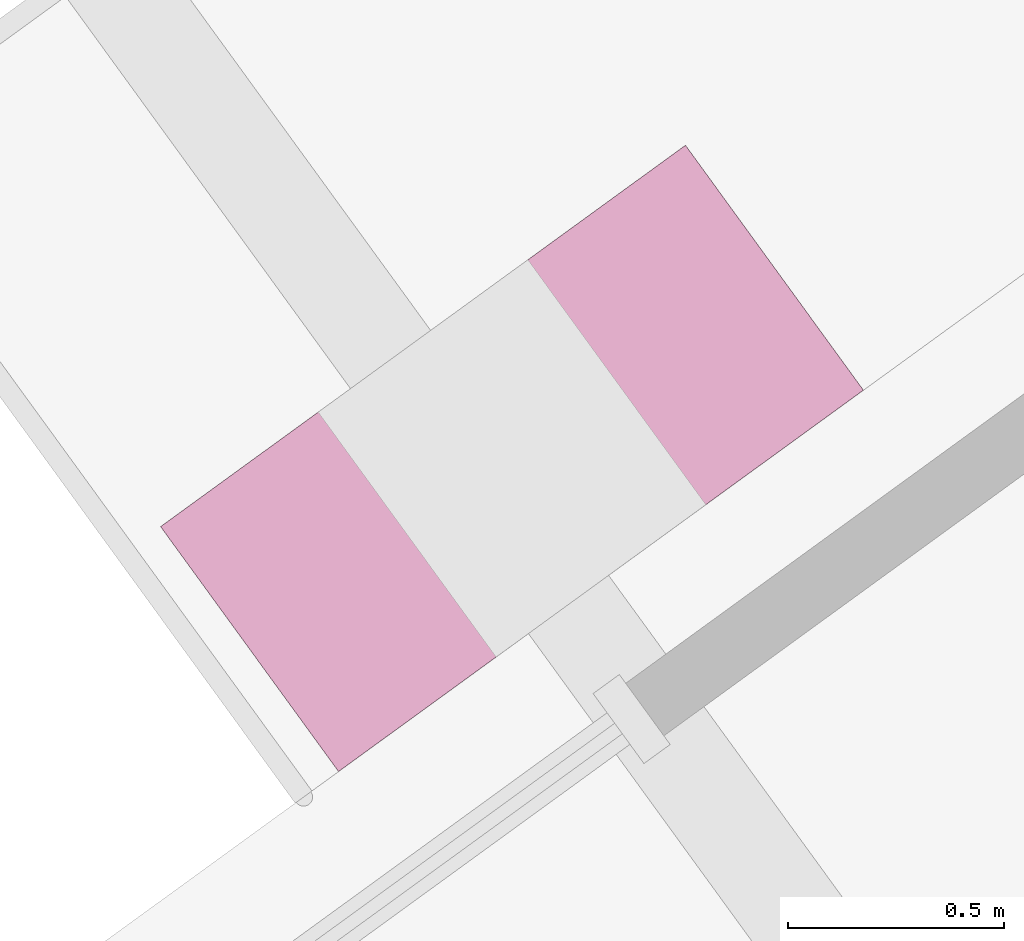
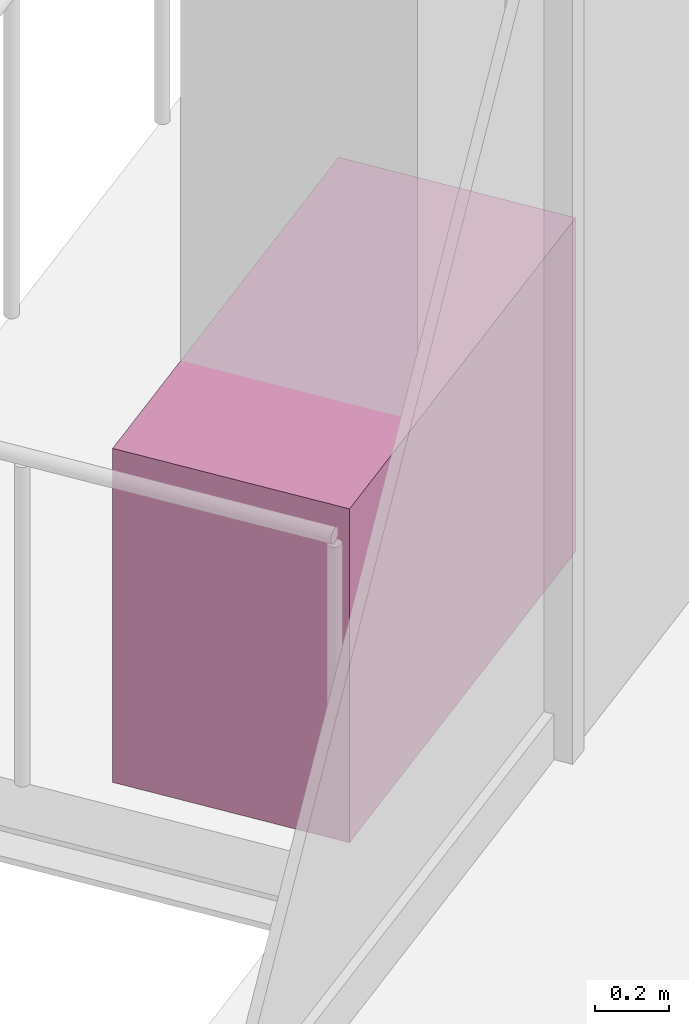
# One storey, part 20 of 21: 1 furniture element.
"""IFC4 building model written with IfcOpenShell, lengths in metres."""

import ifcopenshell
import ifcopenshell.guid

model = None  # the IFC model being written
_history = None  # IfcOwnerHistory: only IFC2X3 demands one
_inside = {}  # id of a spatial element -> (the spatial element, [elements in it])
_under = {}  # id of a project, library or spatial element -> (it, [spatial elements below it])
_declared = {}  # id of a project -> (the project, [libraries it declares])
_typed = {}  # id of a type object -> (the type object, [elements of that type])
_made_of = {}  # id of a material, layer set ... -> (it, [elements and type objects made of it])


def new_model(schema):
    """Start an empty IFC model of exactly this schema.

    Asked for "IFC4X3", IfcOpenShell would pick the latest addendum, in which some entities
    have other attributes; the version numbers below select the first issue.
    IFC2X3 requires an IfcOwnerHistory on every rooted entity: one is made here for all.
    """
    global model, _history
    if schema == "IFC4X3":
        model = ifcopenshell.file(schema_version=(4, 3, 0, 0))
    else:
        model = ifcopenshell.file(schema=schema)
    _inside.clear()
    _under.clear()
    _declared.clear()
    _typed.clear()
    _made_of.clear()
    _history = None
    if model.schema == "IFC2X3":
        org = make("IfcOrganization", Name="unknown")
        user = make(
            "IfcPersonAndOrganization",
            ThePerson=make("IfcPerson", FamilyName="unknown"),
            TheOrganization=org,
        )
        app = make(
            "IfcApplication",
            ApplicationDeveloper=org,
            Version="unknown",
            ApplicationFullName="unknown",
            ApplicationIdentifier="unknown",
        )
        _history = make(
            "IfcOwnerHistory",
            OwningUser=user,
            OwningApplication=app,
            ChangeAction="ADDED",
            CreationDate=0,
        )
    return model


def make(cls, **values):
    """One entity of the class cls with the attributes given. An attribute that is None is left unset."""
    return model.create_entity(
        cls, **{name: value for name, value in values.items() if value is not None}
    )


def rooted(cls, **values):
    """An entity with a GlobalId (a new one), such as an element, a storey or a relation."""
    return make(cls, GlobalId=ifcopenshell.guid.new(), OwnerHistory=_history, **values)


def si_unit(unit_type, name, prefix=None):
    """IfcSIUnit, for example si_unit("LENGTHUNIT", "METRE", prefix="MILLI")."""
    return make("IfcSIUnit", UnitType=unit_type, Prefix=prefix, Name=name)


def assignment(units):
    """IfcUnitAssignment: the units of a project."""
    return None if units is None else make("IfcUnitAssignment", Units=units)


def point(xyz):
    """IfcCartesianPoint."""
    return None if xyz is None else make("IfcCartesianPoint", Coordinates=xyz)


def direction(xyz):
    """IfcDirection."""
    return None if xyz is None else make("IfcDirection", DirectionRatios=xyz)


def frame(location, z_axis=None, x_axis=None):
    """IfcAxis2Placement3D, a coordinate frame: its origin and axes. An axis left out is left unset."""
    return make(
        "IfcAxis2Placement3D",
        Location=point(location),
        Axis=direction(z_axis),
        RefDirection=direction(x_axis),
    )


def frame_2d(location, x_axis=None):
    """IfcAxis2Placement2D, a coordinate frame in the plane: its origin and x axis."""
    return make(
        "IfcAxis2Placement2D", Location=point(location), RefDirection=direction(x_axis)
    )


def origin():
    """The frame at (0, 0, 0) with its axes left unset."""
    return frame((0.0, 0.0, 0.0))


def origin_2d():
    """The frame at (0, 0) in the plane with its x axis left unset."""
    return frame_2d((0.0, 0.0))


def place(relative_to, where):
    """IfcLocalPlacement: puts the frame where relative to a parent placement (None: the world)."""
    return make(
        "IfcLocalPlacement", PlacementRelTo=relative_to, RelativePlacement=where
    )


def context(
    kind, dimensions, precision=None, world=None, true_north=None, identifier=None
):
    """IfcGeometricRepresentationContext, for example the 3D "Model" context."""
    return make(
        "IfcGeometricRepresentationContext",
        ContextIdentifier=identifier,
        ContextType=kind,
        CoordinateSpaceDimension=dimensions,
        Precision=precision,
        WorldCoordinateSystem=world,
        TrueNorth=true_north,
    )


def subcontext(parent, identifier, kind, view, scale=None):
    """IfcGeometricRepresentationSubContext, for example "Body" below "Model"."""
    return make(
        "IfcGeometricRepresentationSubContext",
        ContextIdentifier=identifier,
        ContextType=kind,
        ParentContext=parent,
        TargetScale=scale,
        TargetView=view,
    )


def project(units=None, contexts=None):
    """IfcProject with its units and contexts."""
    return rooted(
        "IfcProject",
        Name="project",
        RepresentationContexts=contexts,
        UnitsInContext=assignment(units),
    )


def spatial(cls, under=None, at=None, **own):
    """A site, building, storey or space (cls), placed at a placement, below another one or the project."""
    s = rooted(cls, ObjectPlacement=at, **own)
    if under is not None:
        _under.setdefault(under.id(), (under, []))[1].append(s)
    return s


def profile(cls, at=None, kind="AREA", **sizes):
    """A parametric profile (cls). Its sizes go by their IFC names, for example OverallWidth=200.0."""
    return make(cls, ProfileType=kind, Position=at, **sizes)


def rectangle(**sizes):
    """IfcRectangleProfileDef."""
    return profile("IfcRectangleProfileDef", **sizes)


def extrude(swept, where, along, depth):
    """IfcExtrudedAreaSolid: the profile swept, set in the frame where, extruded along a direction by depth."""
    return make(
        "IfcExtrudedAreaSolid",
        SweptArea=swept,
        Position=where,
        ExtrudedDirection=direction(along),
        Depth=depth,
    )


def shape(context_of_items, identifier, shape_type, items):
    """IfcShapeRepresentation: the items that make up one representation, for example the "Body"."""
    return make(
        "IfcShapeRepresentation",
        ContextOfItems=context_of_items,
        RepresentationIdentifier=identifier,
        RepresentationType=shape_type,
        Items=items,
    )


def source(mapping_origin, context_of_items, identifier, shape_type, items):
    """IfcRepresentationMap: a shape defined once, which mapped items show again and again."""
    return make(
        "IfcRepresentationMap",
        MappingOrigin=mapping_origin,
        MappedRepresentation=shape(context_of_items, identifier, shape_type, items),
    )


def transform(
    local_origin,
    x_axis=None,
    y_axis=None,
    z_axis=None,
    scale=None,
    scale2=None,
    scale3=None,
    uniform=True,
):
    """IfcCartesianTransformationOperator3D, or its non-uniform kind. x_axis, y_axis, z_axis: its Axis1, 2, 3."""
    if uniform:
        return make(
            "IfcCartesianTransformationOperator3D",
            Axis1=direction(x_axis),
            Axis2=direction(y_axis),
            LocalOrigin=point(local_origin),
            Scale=scale,
            Axis3=direction(z_axis),
        )
    return make(
        "IfcCartesianTransformationOperator3DnonUniform",
        Axis1=direction(x_axis),
        Axis2=direction(y_axis),
        LocalOrigin=point(local_origin),
        Scale=scale,
        Axis3=direction(z_axis),
        Scale2=scale2,
        Scale3=scale3,
    )


def mapped(mapping_source, mapping_target):
    """IfcMappedItem: shows the shape of a source again, moved by a transform."""
    return make(
        "IfcMappedItem", MappingSource=mapping_source, MappingTarget=mapping_target
    )


def material(Name=None, Category=None):
    """IfcMaterial."""
    return make("IfcMaterial", Name=Name, Category=Category)


def made_of(thing, what):
    """Note that an element or type object is made of a material, layer set ...; save() writes the relation."""
    if what is not None:
        _made_of.setdefault(what.id(), (what, []))[1].append(thing)
    return thing


def type_object(cls, material=None, **own):
    """A type object (cls), such as IfcWallType, which elements share."""
    return made_of(rooted(cls, **own), material)


def element(
    cls,
    number,
    at=None,
    inside=None,
    cuts=None,
    type_object=None,
    material=None,
    context=None,
    identifier="Body",
    shape_type=None,
    held_by="IfcProductDefinitionShape",
    body=None,
    shapes=None,
    **own,
):
    """One element of the class cls, such as IfcWall. Its Tag is "e" and its number.

    at: its placement. inside: the storey or other place that contains it. cuts: it is an
    opening in that element (IfcRelVoidsElement). A single representation is given by context,
    identifier, shape_type and body (its items); several are given by shapes. held_by: the class
    of the entity that holds the representations. save() writes the other relations.
    """
    e = rooted(cls, Tag="e%d" % number, ObjectPlacement=at, **own)
    if body is not None:
        shapes = [shape(context, identifier, shape_type, body)]
    if shapes is not None:
        e.Representation = make(held_by, Representations=shapes)
    if inside is not None:
        _inside.setdefault(inside.id(), (inside, []))[1].append(e)
    if cuts is not None:
        rooted(
            "IfcRelVoidsElement", RelatingBuildingElement=cuts, RelatedOpeningElement=e
        )
    if type_object is not None:
        _typed.setdefault(type_object.id(), (type_object, []))[1].append(e)
    return made_of(e, material)


def aggregate(whole, parts):
    """IfcRelAggregates: a whole, such as a stair, and the parts it consists of."""
    return rooted("IfcRelAggregates", RelatingObject=whole, RelatedObjects=parts)


def save(model, path):
    """Write the relations noted so far, then the file.

    IfcRelAggregates (storeys below a building ...), IfcRelContainedInSpatialStructure (elements
    in a storey), IfcRelDefinesByType, IfcRelAssociatesMaterial and IfcRelDeclares: one each for
    every whole, place, type object, material and project.
    """
    for whole, parts in _under.values():
        aggregate(whole, parts)
    for where, things in _inside.values():
        rooted(
            "IfcRelContainedInSpatialStructure",
            RelatedElements=things,
            RelatingStructure=where,
        )
    for kind, things in _typed.values():
        rooted("IfcRelDefinesByType", RelatedObjects=things, RelatingType=kind)
    for what, things in _made_of.values():
        rooted("IfcRelAssociatesMaterial", RelatedObjects=things, RelatingMaterial=what)
    for by, libraries in _declared.values():
        rooted("IfcRelDeclares", RelatingContext=by, RelatedDefinitions=libraries)
    model.write(path)


model = new_model("IFC4")

# Units and contexts
model_context = context("Model", 3, precision=1e-05, world=origin(), true_north=direction((0.0, 1.0)))
body_context = subcontext(model_context, "Body", "Model", "MODEL_VIEW")
ifc_project = project(units=[si_unit("LENGTHUNIT", "METRE"), si_unit("AREAUNIT", "SQUARE_METRE"), si_unit("VOLUMEUNIT", "CUBIC_METRE"), si_unit("PLANEANGLEUNIT", "RADIAN"), si_unit("MASSUNIT", "GRAM", prefix="KILO")], contexts=[model_context])

# Site, building, storey
site_placement = place(None, origin())
site = spatial("IfcSite", under=ifc_project, at=site_placement, CompositionType="ELEMENT")
building_placement = place(site_placement, origin())
building = spatial("IfcBuilding", under=site, at=building_placement, Name="Triune Harvest Tower", CompositionType="ELEMENT")
storey_placement = place(building_placement, frame((0.0, 0.0, 65.699951171875)))
storey = spatial("IfcBuildingStorey", under=building, at=storey_placement, Name="L15", CompositionType="ELEMENT", Elevation=65.699951171875)

# Furniture
ifc_material = material(Name="Concrete 40 MPa", Category="concrete")
furniture_type = type_object("IfcFurnitureType", Name="PB-1 structural planter", AssemblyPlace="SITE", PredefinedType="USERDEFINED", material=ifc_material)
shared_shape = source(origin(), body_context, "Body", "SweptSolid", [
    extrude(rectangle(XDim=1.5, YDim=0.699951171875, at=origin_2d()), origin(), (0.0, 0.0, 1.0), 1.10009765625),
])
furniture_placement = place(storey_placement, frame((-13.6484375, 18.943359375, 0.0), z_axis=(0.0, 0.0, 1.0), x_axis=(-0.809017013446, -0.587785226043, 0.0)))
element("IfcFurniture", 1, at=furniture_placement, inside=storey, type_object=furniture_type, Name="Planter B2-F3 L15.6b", ObjectType="PLANTER", PredefinedType="USERDEFINED", context=body_context, shape_type="MappedRepresentation", body=[
    mapped(shared_shape, transform((0.0, 0.0, 0.0), scale=1.0)),
])

save(model, "model.ifc")
